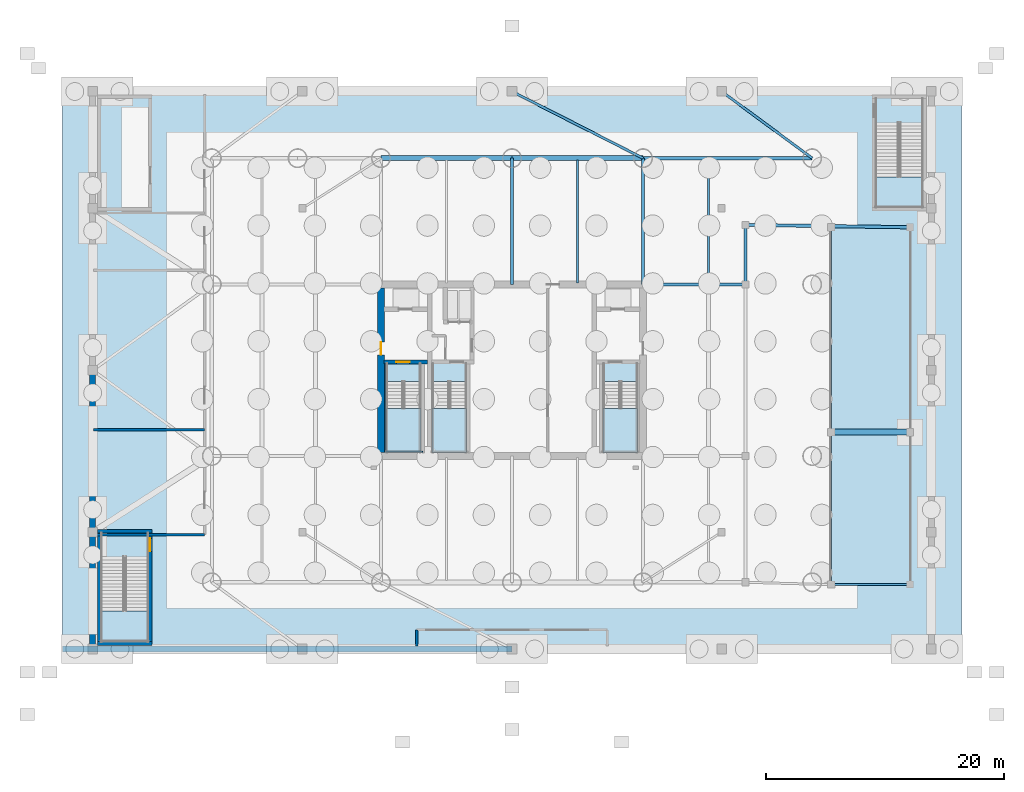
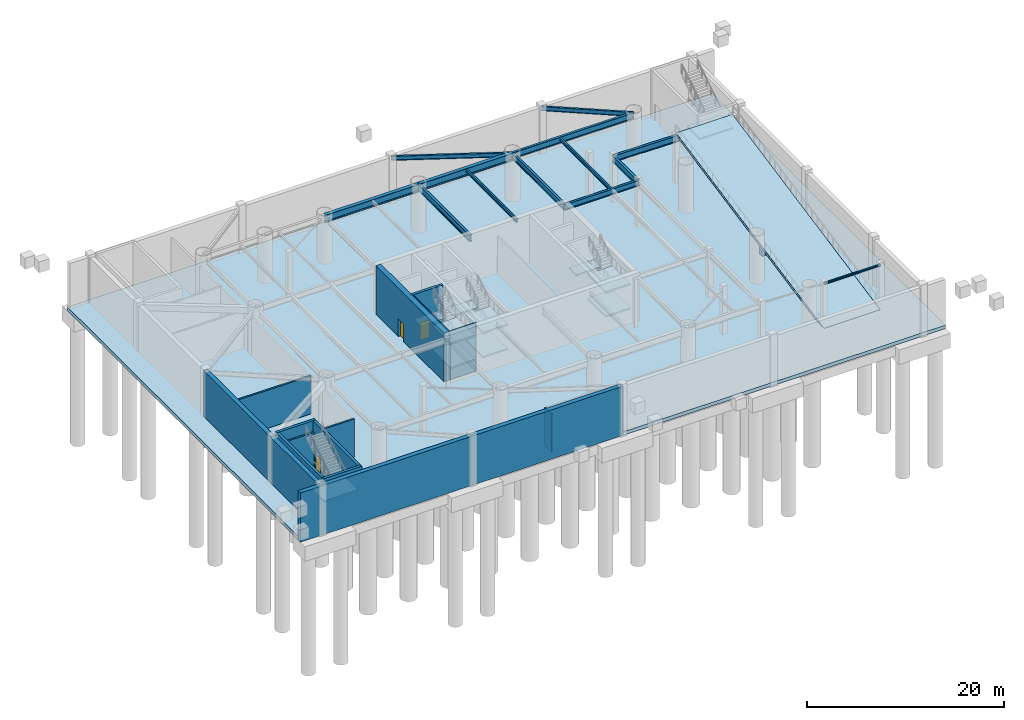
# One storey, part 3 of 12: 14 beams, 13 slabs, 13 walls, 3 doors, 3 openings, 5 elements without a shape of their own.
"""IFC4 building model written with IfcOpenShell, lengths in metres."""

from ifc_helpers import new_model, si_unit, direction, frame, frame_2d, origin, origin_2d, place, context, subcontext, project, spatial, polyline, rectangle, i_section, outline, extrude, material, layer, layer_set, material_profile, profile_set, type_object, element, fill, aggregate, save


model = new_model("IFC4")

# Units and contexts
model_context = context("Model", 3, precision=1e-05, world=origin(), true_north=direction((0.0, 1.0)))
body_context = subcontext(model_context, "Body", "Model", "MODEL_VIEW")
ifc_project = project(units=[si_unit("LENGTHUNIT", "METRE"), si_unit("AREAUNIT", "SQUARE_METRE"), si_unit("VOLUMEUNIT", "CUBIC_METRE"), si_unit("PLANEANGLEUNIT", "RADIAN"), si_unit("MASSUNIT", "GRAM", prefix="KILO")], contexts=[model_context])

# Site, building, storey
site_placement = place(None, origin())
site = spatial("IfcSite", under=ifc_project, at=site_placement, CompositionType="ELEMENT")
building_placement = place(site_placement, origin())
building = spatial("IfcBuilding", under=site, at=building_placement, Name="Bramvorn Convention Spire", CompositionType="ELEMENT")
storey_placement = place(building_placement, frame((0.0, 0.0, -6.0)))
storey = spatial("IfcBuildingStorey", under=building, at=storey_placement, Name="B1", CompositionType="ELEMENT", Elevation=-6.0)

# Beams
ifc_material_1 = material(Name="Concrete C50/60", Category="concrete")
ifc_material_profile_1 = material_profile(ifc_material_1, rectangle(XDim=0.5, YDim=0.89990234375, at=origin_2d()))
ifc_profile_set_1 = profile_set([ifc_material_profile_1], Name="Concrete C50/60 - RC500X900")
beam_type_1 = type_object("IfcBeamType", Name="BM-RC500X900", PredefinedType="BEAM", material=ifc_profile_set_1)
beam_1_placement = place(storey_placement, frame((64.800048828125, 20.800048828125, 1.760009765625), z_axis=(1.0, 0.0, 0.0), x_axis=(0.0, 1.0, 0.0)))
element("IfcBeam", 1, at=beam_1_placement, inside=storey, type_object=beam_type_1, Name="B1 vehicle ramp midspan support girder", PredefinedType="BEAM", context=body_context, shape_type="SweptSolid", body=[
    extrude(rectangle(XDim=0.5, YDim=0.89990234375, at=origin_2d()), origin(), (0.0, 0.0, 1.0), 6.599853515625),
])
ifc_material_2 = material(Name="Steel CSA G40.21 Grade 350 (350W)", Category="steel")
ifc_material_profile_2 = material_profile(ifc_material_2, i_section(OverallWidth=0.1650390625, OverallDepth=0.200927734375, WebThickness=0.006103515625, FlangeThickness=0.01025390625, FilletRadius=0.010009765625, at=origin_2d()))
ifc_profile_set_2 = profile_set([ifc_material_profile_2], Name="Steel CSA G40.21 Grade 350 (350W) - W200X36")
beam_type_2 = type_object("IfcBeamType", Name="BM-W200X36", PredefinedType="LINTEL", material=ifc_profile_set_2)
beam_2_placement = place(storey_placement, frame((64.800048828125, 8.0, 5.549560546875), z_axis=(1.0, 0.0, 0.0), x_axis=(0.0, 1.0, 0.0)))
element("IfcBeam", 2, at=beam_2_placement, inside=storey, type_object=beam_type_2, Name="B1 equipment bay header lintel 1", PredefinedType="LINTEL", context=body_context, shape_type="SweptSolid", body=[
    extrude(i_section(OverallWidth=0.1650390625, OverallDepth=0.200927734375, WebThickness=0.006103515625, FlangeThickness=0.01025390625, FilletRadius=0.010009765625, at=origin_2d()), origin(), (0.0, 0.0, 1.0), 6.599853515625),
])
ifc_material_profile_3 = material_profile(ifc_material_2, i_section(OverallWidth=0.180908203125, OverallDepth=0.4169921875, WebThickness=0.010986328125, FlangeThickness=0.018310546875, FilletRadius=0.01611328125, at=origin_2d()))
ifc_profile_set_3 = profile_set([ifc_material_profile_3], Name="Steel CSA G40.21 Grade 350 (350W) - W410X85")
beam_type_3 = type_object("IfcBeamType", Name="BM-W410X85", PredefinedType="JOIST", material=ifc_profile_set_3)
for number, where, z_axis, x_axis, name in (
    (3, (43.5, 33.340087890625, 5.44140625), (0.0, 1.0, 0.0), (-1.0, 0.0, 0.0), "B1 north hall composite joist 4"),
    (4, (54.5, 33.340087890625, 5.44140625), (0.0, 1.0, 0.0), (-1.0, 0.0, 0.0), "B1 side hall joist N-5"),
):
    element("IfcBeam", number, at=place(storey_placement, frame(where, z_axis=z_axis, x_axis=x_axis)), inside=storey, type_object=beam_type_3, Name=name, PredefinedType="JOIST", context=body_context, shape_type="SweptSolid", body=[
        extrude(i_section(OverallWidth=0.180908203125, OverallDepth=0.4169921875, WebThickness=0.010986328125, FlangeThickness=0.018310546875, FilletRadius=0.01611328125, at=origin_2d()), origin(), (0.0, 0.0, 1.0), 10.31982421875),
    ])
ifc_material_profile_4 = material_profile(ifc_material_2, i_section(OverallWidth=0.2119140625, OverallDepth=0.5439453125, WebThickness=0.01318359375, FlangeThickness=0.021240234375, FilletRadius=0.01904296875, at=origin_2d()))
ifc_profile_set_4 = profile_set([ifc_material_profile_4], Name="Steel CSA G40.21 Grade 350 (350W) - W530X123")
beam_type_4 = type_object("IfcBeamType", Name="BM-W530X123", PredefinedType="BEAM", material=ifc_profile_set_4)
beam_3_placement = place(storey_placement, frame((38.0, 49.39990234375, 5.3779296875), z_axis=(0.891167913636, -0.453673615835, 0.0), x_axis=(0.453673615835, 0.891167913636, 0.0)))
element("IfcBeam", 5, at=beam_3_placement, inside=storey, type_object=beam_type_4, Name="B1 podium primary girder 32", PredefinedType="BEAM", context=body_context, shape_type="SweptSolid", body=[
    extrude(i_section(OverallWidth=0.2119140625, OverallDepth=0.5439453125, WebThickness=0.01318359375, FlangeThickness=0.021240234375, FilletRadius=0.01904296875, at=origin_2d()), origin(), (0.0, 0.0, 1.0), 12.34326171875),
])
beam_4_placement = place(storey_placement, frame((55.60009765625, 49.39990234375, 5.3779296875), z_axis=(0.805057787445, -0.593196391488, 0.0), x_axis=(0.593196391488, 0.805057787445, 0.0)))
element("IfcBeam", 6, at=beam_4_placement, inside=storey, type_object=beam_type_4, Name="B1 podium primary girder 33", PredefinedType="BEAM", context=body_context, shape_type="SweptSolid", body=[
    extrude(i_section(OverallWidth=0.2119140625, OverallDepth=0.5439453125, WebThickness=0.01318359375, FlangeThickness=0.021240234375, FilletRadius=0.01904296875, at=origin_2d()), origin(), (0.0, 0.0, 1.0), 9.440185546875),
])
ifc_material_profile_5 = material_profile(ifc_material_2, i_section(OverallWidth=0.256103515625, OverallDepth=0.693115234375, WebThickness=0.014404296875, FlangeThickness=0.023681640625, FilletRadius=0.02197265625, at=origin_2d()))
ifc_profile_set_5 = profile_set([ifc_material_profile_5], Name="Steel CSA G40.21 Grade 350 (350W) - W690X170")
beam_type_5 = type_object("IfcBeamType", Name="BM-W690X170", PredefinedType="BEAM", material=ifc_profile_set_5)
beam_5_placement = place(storey_placement, frame((49.0, 33.199951171875, 5.303466796875), z_axis=(0.0, 1.0, 0.0), x_axis=(-1.0, 0.0, 0.0)))
element("IfcBeam", 7, at=beam_5_placement, inside=storey, type_object=beam_type_5, Name="B1 podium primary girder 25", PredefinedType="BEAM", context=body_context, shape_type="SweptSolid", body=[
    extrude(i_section(OverallWidth=0.256103515625, OverallDepth=0.693115234375, WebThickness=0.014404296875, FlangeThickness=0.023681640625, FilletRadius=0.02197265625, at=origin_2d()), origin(), (0.0, 0.0, 1.0), 10.60009765625),
])
beam_6_placement = place(storey_placement, frame((49.0, 33.199951171875, 5.303466796875), z_axis=(1.0, 0.0, 0.0), x_axis=(0.0, 1.0, 0.0)))
element("IfcBeam", 8, at=beam_6_placement, inside=storey, type_object=beam_type_5, Name="B1 ramp tie girder N", PredefinedType="BEAM", context=body_context, shape_type="SweptSolid", body=[
    extrude(i_section(OverallWidth=0.256103515625, OverallDepth=0.693115234375, WebThickness=0.014404296875, FlangeThickness=0.023681640625, FilletRadius=0.02197265625, at=origin_2d()), origin(), (0.0, 0.0, 1.0), 8.60009765625),
])
ifc_material_profile_6 = material_profile(ifc_material_2, i_section(OverallWidth=0.27099609375, OverallDepth=0.76806640625, WebThickness=0.0166015625, FlangeThickness=0.02685546875, FilletRadius=0.02197265625, at=origin_2d()))
ifc_profile_set_6 = profile_set([ifc_material_profile_6], Name="Steel CSA G40.21 Grade 350 (350W) - W760X220")
beam_type_6 = type_object("IfcBeamType", Name="BM-W760X220", PredefinedType="BEAM", material=ifc_profile_set_6)
beam_7_placement = place(storey_placement, frame((38.0, 33.199951171875, 5.26611328125), z_axis=(0.0, 1.0, 0.0), x_axis=(-1.0, 0.0, 0.0)))
element("IfcBeam", 9, at=beam_7_placement, inside=storey, type_object=beam_type_6, Name="B1 podium primary girder 10", PredefinedType="BEAM", context=body_context, shape_type="SweptSolid", body=[
    extrude(i_section(OverallWidth=0.27099609375, OverallDepth=0.76806640625, WebThickness=0.0166015625, FlangeThickness=0.02685546875, FilletRadius=0.02197265625, at=origin_2d()), origin(), (0.0, 0.0, 1.0), 10.60009765625),
])
beam_8_placement = place(storey_placement, frame((49.0, 43.800048828125, 5.26611328125), z_axis=(1.0, 0.0, 0.0), x_axis=(0.0, 1.0, 0.0)))
element("IfcBeam", 10, at=beam_8_placement, inside=storey, type_object=beam_type_6, Name="B1 podium primary girder 11", PredefinedType="BEAM", context=body_context, shape_type="SweptSolid", body=[
    extrude(i_section(OverallWidth=0.27099609375, OverallDepth=0.76806640625, WebThickness=0.0166015625, FlangeThickness=0.02685546875, FilletRadius=0.02197265625, at=origin_2d()), origin(), (0.0, 0.0, 1.0), 14.199951171875),
])
beam_9_placement = place(storey_placement, frame((57.60009765625, 33.199951171875, 5.26611328125), z_axis=(0.0, 1.0, 0.0), x_axis=(-1.0, 0.0, 0.0)))
element("IfcBeam", 11, at=beam_9_placement, inside=storey, type_object=beam_type_6, Name="B1 ramp west trimmer 3", PredefinedType="BEAM", context=body_context, shape_type="SweptSolid", body=[
    extrude(i_section(OverallWidth=0.27099609375, OverallDepth=0.76806640625, WebThickness=0.0166015625, FlangeThickness=0.02685546875, FilletRadius=0.02197265625, at=origin_2d()), origin(), (0.0, 0.0, 1.0), 5.0),
])
beam_10_placement = place(storey_placement, frame((57.60009765625, 38.199951171875, 5.26611328125), z_axis=(0.999895044874, -0.014487899684, 0.0), x_axis=(0.014487899684, 0.999895044874, 0.0)))
element("IfcBeam", 12, at=beam_10_placement, inside=storey, type_object=beam_type_6, Name="B1 ramp top arrival girder", PredefinedType="BEAM", context=body_context, shape_type="SweptSolid", body=[
    extrude(i_section(OverallWidth=0.27099609375, OverallDepth=0.76806640625, WebThickness=0.0166015625, FlangeThickness=0.02685546875, FilletRadius=0.02197265625, at=origin_2d()), origin(), (0.0, 0.0, 1.0), 13.80126953125),
])
ifc_material_profile_7 = material_profile(ifc_material_2, i_section(OverallWidth=0.41796875, OverallDepth=0.912109375, WebThickness=0.019287109375, FlangeThickness=0.031982421875, FilletRadius=0.02392578125, at=origin_2d()))
ifc_profile_set_7 = profile_set([ifc_material_profile_7], Name="Steel CSA G40.21 Grade 350 (350W) - W920X342")
beam_type_7 = type_object("IfcBeamType", Name="BM-W920X342", PredefinedType="BEAM", material=ifc_profile_set_7)
for number, where, z_axis, x_axis, name in (
    (13, (27.0, 43.800048828125, 5.194091796875), (1.0, 0.0, 0.0), (0.0, 1.0, 0.0), "B1 podium primary girder 07"),
    (14, (38.0, 43.800048828125, 5.194091796875), (1.0, 0.0, 0.0), (0.0, 1.0, 0.0), "B1 podium primary girder 08"),
):
    element("IfcBeam", number, at=place(storey_placement, frame(where, z_axis=z_axis, x_axis=x_axis)), inside=storey, type_object=beam_type_7, Name=name, PredefinedType="BEAM", context=body_context, shape_type="SweptSolid", body=[
        extrude(i_section(OverallWidth=0.41796875, OverallDepth=0.912109375, WebThickness=0.019287109375, FlangeThickness=0.031982421875, FilletRadius=0.02392578125, at=origin_2d()), origin(), (0.0, 0.0, 1.0), 11.0),
    ])

# Slabs
ifc_material_3 = material(Name="Concrete C60/70", Category="concrete")
ifc_layer_1 = layer(ifc_material_3, 0.449951171875)
ifc_layer_set_1 = layer_set([ifc_layer_1], Name="Concrete C60/70 - SLB-BASE-450")
slab_type_1 = type_object("IfcSlabType", Name="SLB-BASE-450", PredefinedType="BASESLAB", material=ifc_layer_set_1)
slab_1_placement = place(storey_placement, frame((0.0, 0.0, -0.449951171875)))
element("IfcSlab", 15, at=slab_1_placement, inside=storey, type_object=slab_type_1, Name="B1 reinforced concrete base slab", PredefinedType="BASESLAB", context=body_context, shape_type="SweptSolid", body=[
    extrude(outline(polyline([(0.25, 2.35009765625), (75.75, 2.35009765625), (75.75, 49.64990234375), (0.25, 49.64990234375), (0.25, 2.35009765625)])), origin(), (0.0, 0.0, 1.0), 0.449951171875),
])
ifc_material_4 = material(Name="Concrete C40/50", Category="concrete")
ifc_layer_2 = layer(ifc_material_4, 0.300048828125)
ifc_layer_set_2 = layer_set([ifc_layer_2], Name="Concrete C40/50 - SLB-RAMP-300")
slab_type_2 = type_object("IfcSlabType", Name="SLB-RAMP-300", PredefinedType="FLOOR", material=ifc_layer_set_2)
slab_2_placement = place(storey_placement, frame((64.800048828125, 8.0, 0.0), z_axis=(0.0, -0.196116135138, 0.980580675691), x_axis=(1.0, 0.0, 0.0)))
element("IfcSlab", 16, at=slab_2_placement, inside=storey, type_object=slab_type_2, Name="B1-to-L00 structural sloped reinforced concrete vehicle ramp slab", PredefinedType="FLOOR", context=body_context, shape_type="SweptSolid", body=[
    extrude(outline(polyline([(0.0, 0.0), (6.599853515625, 0.0), (6.599853515625, 30.59411708155671), (0.0, 30.59411708155671), (0.0, 0.0)])), origin(), (0.0, 0.0, -1.0), 0.300048828125),
])

# Stair, slabs
ifc_material_5 = material(Name="Concrete C40/50 Precast Stair", Category="concrete")
stair_type_1 = type_object("IfcStairType", Name="ST-TOWER-1550", PredefinedType="HALF_TURN_STAIR", material=ifc_material_5)
stair_1_placement = place(storey_placement, origin())
stair_1 = element("IfcStair", 17, at=stair_1_placement, inside=storey, type_object=stair_type_1, Name="B1 Protected Exit Stair ST1", PredefinedType="HALF_TURN_STAIR")
ifc_material_6 = material(Name="Concrete C40/50 Stair Landing", Category="concrete")
ifc_layer_3 = layer(ifc_material_6, 0.219970703125)
ifc_layer_set_3 = layer_set([ifc_layer_3], Name="Concrete C40/50 Stair Landing - SLB-STAIR-LANDING")
slab_type_3 = type_object("IfcSlabType", Name="SLB-STAIR-LANDING", PredefinedType="LANDING", material=ifc_layer_set_3)
slab_3_placement = place(storey_placement, frame((0.0, 0.0, 1.300048828125)))
slab_3 = element("IfcSlab", 18, at=slab_3_placement, type_object=slab_type_3, Name="ST1 landing 1", PredefinedType="LANDING", context=body_context, shape_type="SweptSolid", body=[
    extrude(outline(polyline([(27.449951171875, 22.77001953125), (27.449951171875, 19.10009765625), (30.35009765625, 19.10009765625), (30.35009765625, 22.77001953125), (27.449951171875, 22.77001953125)])), origin(), (0.0, 0.0, 1.0), 0.199951171875),
])
slab_4_placement = place(storey_placement, frame((0.0, 0.0, 2.800048828125)))
slab_4 = element("IfcSlab", 19, at=slab_4_placement, type_object=slab_type_3, Name="ST1 landing 2", PredefinedType="LANDING", context=body_context, shape_type="SweptSolid", body=[
    extrude(outline(polyline([(27.449951171875, 26.550048828125), (27.449951171875, 25.050048828125), (30.35009765625, 25.050048828125), (30.35009765625, 26.550048828125), (27.449951171875, 26.550048828125)])), origin(), (0.0, 0.0, 1.0), 0.199951171875),
])
slab_5_placement = place(storey_placement, frame((0.0, 0.0, 4.300048828125)))
slab_5 = element("IfcSlab", 20, at=slab_5_placement, type_object=slab_type_3, Name="ST1 landing 3", PredefinedType="LANDING", context=body_context, shape_type="SweptSolid", body=[
    extrude(outline(polyline([(27.449951171875, 22.77001953125), (27.449951171875, 19.10009765625), (30.35009765625, 19.10009765625), (30.35009765625, 22.77001953125), (27.449951171875, 22.77001953125)])), origin(), (0.0, 0.0, 1.0), 0.199951171875),
])
aggregate(stair_1, [slab_3, slab_4, slab_5])

stair_2_placement = place(storey_placement, origin())
stair_2 = element("IfcStair", 21, at=stair_2_placement, inside=storey, type_object=stair_type_1, Name="B1 Protected Exit Stair ST2", PredefinedType="HALF_TURN_STAIR")
slab_6_placement = place(storey_placement, frame((0.0, 0.0, 1.300048828125)))
slab_6 = element("IfcSlab", 22, at=slab_6_placement, type_object=slab_type_3, Name="ST2 landing 1", PredefinedType="LANDING", context=body_context, shape_type="SweptSolid", body=[
    extrude(outline(polyline([(45.64990234375, 22.77001953125), (45.64990234375, 19.10009765625), (48.550048828125, 19.10009765625), (48.550048828125, 22.77001953125), (45.64990234375, 22.77001953125)])), origin(), (0.0, 0.0, 1.0), 0.199951171875),
])
slab_7_placement = place(storey_placement, frame((0.0, 0.0, 2.800048828125)))
slab_7 = element("IfcSlab", 23, at=slab_7_placement, type_object=slab_type_3, Name="ST2 landing 2", PredefinedType="LANDING", context=body_context, shape_type="SweptSolid", body=[
    extrude(outline(polyline([(45.64990234375, 26.550048828125), (45.64990234375, 25.050048828125), (48.550048828125, 25.050048828125), (48.550048828125, 26.550048828125), (45.64990234375, 26.550048828125)])), origin(), (0.0, 0.0, 1.0), 0.199951171875),
])
slab_8_placement = place(storey_placement, frame((0.0, 0.0, 4.300048828125)))
slab_8 = element("IfcSlab", 24, at=slab_8_placement, type_object=slab_type_3, Name="ST2 landing 3", PredefinedType="LANDING", context=body_context, shape_type="SweptSolid", body=[
    extrude(outline(polyline([(45.64990234375, 22.77001953125), (45.64990234375, 19.10009765625), (48.550048828125, 19.10009765625), (48.550048828125, 22.77001953125), (45.64990234375, 22.77001953125)])), origin(), (0.0, 0.0, 1.0), 0.199951171875),
])
aggregate(stair_2, [slab_6, slab_7, slab_8])

stair_3_placement = place(storey_placement, origin())
stair_3 = element("IfcStair", 25, at=stair_3_placement, inside=storey, type_object=stair_type_1, Name="B1 Protected Exit Stair ST3", PredefinedType="HALF_TURN_STAIR")
slab_9_placement = place(storey_placement, frame((0.0, 0.0, 1.300048828125)))
slab_9 = element("IfcSlab", 26, at=slab_9_placement, type_object=slab_type_3, Name="ST3 landing 1", PredefinedType="LANDING", context=body_context, shape_type="SweptSolid", body=[
    extrude(outline(polyline([(31.300048828125, 22.77001953125), (31.300048828125, 19.10009765625), (34.199951171875, 19.10009765625), (34.199951171875, 22.77001953125), (31.300048828125, 22.77001953125)])), origin(), (0.0, 0.0, 1.0), 0.199951171875),
])
slab_10_placement = place(storey_placement, frame((0.0, 0.0, 2.800048828125)))
slab_10 = element("IfcSlab", 27, at=slab_10_placement, type_object=slab_type_3, Name="ST3 landing 2", PredefinedType="LANDING", context=body_context, shape_type="SweptSolid", body=[
    extrude(outline(polyline([(31.300048828125, 26.550048828125), (31.300048828125, 25.050048828125), (34.199951171875, 25.050048828125), (34.199951171875, 26.550048828125), (31.300048828125, 26.550048828125)])), origin(), (0.0, 0.0, 1.0), 0.199951171875),
])
slab_11_placement = place(storey_placement, frame((0.0, 0.0, 4.300048828125)))
slab_11 = element("IfcSlab", 28, at=slab_11_placement, type_object=slab_type_3, Name="ST3 landing 3", PredefinedType="LANDING", context=body_context, shape_type="SweptSolid", body=[
    extrude(outline(polyline([(31.300048828125, 22.77001953125), (31.300048828125, 19.10009765625), (34.199951171875, 19.10009765625), (34.199951171875, 22.77001953125), (31.300048828125, 22.77001953125)])), origin(), (0.0, 0.0, 1.0), 0.199951171875),
])
aggregate(stair_3, [slab_9, slab_10, slab_11])

# Stair, slab
ifc_material_7 = material(Name="Concrete C40/50 Grand Exit Stair", Category="concrete")
stair_type_2 = type_object("IfcStairType", Name="ST-PODIUM-1950", PredefinedType="HALF_TURN_STAIR", material=ifc_material_7)
stair_4_placement = place(storey_placement, origin())
stair_4 = element("IfcStair", 29, at=stair_4_placement, inside=storey, type_object=stair_type_2, Name="B1 Protected Exit Stair ST4", PredefinedType="HALF_TURN_STAIR")
slab_12_placement = place(storey_placement, frame((0.0, 0.0, 2.800048828125)))
slab_12 = element("IfcSlab", 30, at=slab_12_placement, type_object=slab_type_3, Name="ST4 landing 1", PredefinedType="LANDING", context=body_context, shape_type="SweptSolid", body=[
    extrude(outline(polyline([(3.5, 5.7900390625), (3.5, 3.199951171875), (7.47998046875, 3.199951171875), (7.47998046875, 5.7900390625), (3.5, 5.7900390625)])), origin(), (0.0, 0.0, 1.0), 0.199951171875),
])
aggregate(stair_4, [slab_12])

stair_5_placement = place(storey_placement, origin())
stair_5 = element("IfcStair", 31, at=stair_5_placement, inside=storey, type_object=stair_type_2, Name="B1 Protected Exit Stair ST5", PredefinedType="HALF_TURN_STAIR")
slab_13_placement = place(storey_placement, frame((0.0, 0.0, 2.800048828125)))
slab_13 = element("IfcSlab", 32, at=slab_13_placement, type_object=slab_type_3, Name="ST5 landing 1", PredefinedType="LANDING", context=body_context, shape_type="SweptSolid", body=[
    extrude(outline(polyline([(68.52001953125, 42.239990234375), (68.52001953125, 39.64990234375), (72.5, 39.64990234375), (72.5, 42.239990234375), (68.52001953125, 42.239990234375)])), origin(), (0.0, 0.0, 1.0), 0.199951171875),
])
aggregate(stair_5, [slab_13])

# Walls
ifc_layer_4 = layer(ifc_material_3, 0.5)
ifc_layer_set_4 = layer_set([ifc_layer_4], Name="Concrete C60/70 - WL-BSMT-RET-500")
wall_type_1 = type_object("IfcWallType", Name="WL-BSMT-RET-500", PredefinedType="USERDEFINED", material=ifc_layer_set_4)
wall_1_placement = place(storey_placement, frame((0.25, 2.60009765625, -0.449951171875), z_axis=(0.0, 0.0, 1.0), x_axis=(1.0, 0.0, 0.0)))
element("IfcWall", 33, at=wall_1_placement, inside=storey, type_object=wall_type_1, Name="B1 basement retaining wall S1", ObjectType="RETAINING WALL", PredefinedType="USERDEFINED", context=body_context, shape_type="SweptSolid", body=[
    extrude(rectangle(XDim=37.75, YDim=0.5, at=frame_2d((18.875, 0.0))), origin(), (0.0, 0.0, 1.0), 6.099853515625),
])
wall_2_placement = place(storey_placement, frame((2.800048828125, 2.85009765625, -0.449951171875), z_axis=(0.0, 0.0, 1.0), x_axis=(0.0, 1.0, 0.0)))
element("IfcWall", 34, at=wall_2_placement, inside=storey, type_object=wall_type_1, Name="B1 basement retaining wall W1", ObjectType="RETAINING WALL", PredefinedType="USERDEFINED", context=body_context, shape_type="SweptSolid", body=[
    extrude(rectangle(XDim=23.14990234375, YDim=0.5, at=frame_2d((11.574951171875, 0.0))), origin(), (0.0, 0.0, 1.0), 6.099853515625),
])

# Wall, opening, door
ifc_layer_5 = layer(ifc_material_3, 0.60009765625)
ifc_layer_set_5 = layer_set([ifc_layer_5], Name="Concrete C60/70 - WL-CORE-600")
wall_type_2 = type_object("IfcWallType", Name="WL-CORE-600", PredefinedType="SHEAR", material=ifc_layer_set_5)
wall_3_placement = place(storey_placement, frame((27.0, 19.10009765625, 0.0), z_axis=(0.0, 0.0, 1.0), x_axis=(0.0, 1.0, 0.0)))
wall_3 = element("IfcWall", 35, at=wall_3_placement, inside=storey, type_object=wall_type_2, Name="B1 West RC core shear wall", PredefinedType="SHEAR", context=body_context, shape_type="SweptSolid", body=[
    extrude(rectangle(XDim=13.7998046875, YDim=0.60009765625, at=frame_2d((6.89990234375, 0.0))), origin(), (0.0, 0.0, 1.0), 6.0),
])
opening_1_placement = place(wall_3_placement, frame((8.199951171875, 0.0, 0.0)))
opening_1 = element("IfcOpeningElement", 36, at=opening_1_placement, cuts=wall_3, Name="Opening DL-105", PredefinedType="OPENING", context=body_context, shape_type="SweptSolid", body=[
    extrude(rectangle(XDim=1.050048828125, YDim=2.14990234375, at=frame_2d((0.52490234375, 1.074951171875))), frame((0.0, 0.31005859375, 0.0), z_axis=(0.0, -1.0, 0.0), x_axis=(1.0, 0.0, 0.0)), (0.0, 0.0, 1.0), 0.6201171875),
])
ifc_material_8 = material(Name="Smoke-Sealed Fire Lobby Timber-Core Door", Category="wood")
door_type_1 = type_object("IfcDoorType", Name="DR-LOBBY-1050", OperationType="NOTDEFINED", PredefinedType="DOOR", material=ifc_material_8)
door_1_placement = place(opening_1_placement, origin())
door_1 = element("IfcDoor", 37, at=door_1_placement, inside=storey, type_object=door_type_1, Name="B1 West Firefighting Lobby corridor door", OperationType="SINGLE_SWING_RIGHT", OverallHeight=2.14990234375, OverallWidth=1.050048828125, PredefinedType="DOOR", context=body_context, shape_type="SweptSolid", body=[
    extrude(rectangle(XDim=1.050048828125, YDim=2.14990234375, at=frame_2d((0.52490234375, 1.074951171875))), frame((0.0, 0.02490234375, 0.0), z_axis=(0.0, -1.0, 0.0), x_axis=(1.0, 0.0, 0.0)), (0.0, 0.0, 1.0), 0.050048828125),
])
fill(opening_1, door_1)

# Walls
ifc_material_9 = material(Name="Gypsum Shaftwall & Rockwool Core Partition", Category="gypsum")
ifc_layer_6 = layer(ifc_material_9, 0.199951171875)
ifc_layer_set_6 = layer_set([ifc_layer_6], Name="Gypsum Shaftwall & Rockwool Core Partition - WL-PART-200-FR")
wall_type_3 = type_object("IfcWallType", Name="WL-PART-200-FR", PredefinedType="PARTITIONING", material=ifc_layer_set_6)
for number, where, z_axis, x_axis, name in (
    (38, (2.85009765625, 12.199951171875, 0.0), (0.0, 0.0, 1.0), (1.0, 0.0, 0.0), "B1 Central Chiller & Deep-Lake Heat-Exchanger Plant divider"),
    (39, (2.85009765625, 21.0, 0.0), (0.0, 0.0, 1.0), (1.0, 0.0, 0.0), "B1 Domestic Water Booster, Fire Pump & Sprinkler Tank Room divider"),
):
    element("IfcWall", number, at=place(storey_placement, frame(where, z_axis=z_axis, x_axis=x_axis)), inside=storey, type_object=wall_type_3, Name=name, PredefinedType="PARTITIONING", context=body_context, shape_type="SweptSolid", body=[
        extrude(rectangle(XDim=9.349853515625, YDim=0.199951171875, at=frame_2d((4.6748046875, 0.0))), origin(), (0.0, 0.0, 1.0), 4.7099609375),
    ])
wall_4_placement = place(storey_placement, frame((30.0, 2.85009765625, 0.0), z_axis=(0.0, 0.0, 1.0), x_axis=(0.0, 1.0, 0.0)))
element("IfcWall", 40, at=wall_4_placement, inside=storey, type_object=wall_type_3, Name="B1 Service bay west return", PredefinedType="PARTITIONING", context=body_context, shape_type="SweptSolid", body=[
    extrude(rectangle(XDim=1.349853515625, YDim=0.199951171875, at=frame_2d((0.6748046875, 0.0))), origin(), (0.0, 0.0, 1.0), 4.7099609375),
])

# Wall, opening, door
ifc_layer_7 = layer(ifc_material_1, 0.300048828125)
ifc_layer_set_7 = layer_set([ifc_layer_7], Name="Concrete C50/60 - WL-POD-STAIR-300")
wall_type_4 = type_object("IfcWallType", Name="WL-POD-STAIR-300", PredefinedType="SHEAR", material=ifc_layer_set_7)
wall_5_placement = place(storey_placement, frame((27.25, 26.68994140625, -0.449951171875), z_axis=(0.0, 0.0, 1.0), x_axis=(1.0, 0.0, 0.0)))
wall_5 = element("IfcWall", 41, at=wall_5_placement, inside=storey, type_object=wall_type_4, Name="B1 ST1 north fire wall", PredefinedType="SHEAR", context=body_context, shape_type="SweptSolid", body=[
    extrude(rectangle(XDim=3.669921875, YDim=0.300048828125, at=frame_2d((1.8349609375, 0.0))), origin(), (0.0, 0.0, 1.0), 6.449951171875),
])
opening_2_placement = place(wall_5_placement, frame((1.050048828125, 0.0, 0.449951171875)))
opening_2 = element("IfcOpeningElement", 42, at=opening_2_placement, cuts=wall_5, Name="Opening DS-110", PredefinedType="OPENING", context=body_context, shape_type="SweptSolid", body=[
    extrude(rectangle(XDim=1.10009765625, YDim=2.14990234375, at=frame_2d((0.550048828125, 1.074951171875))), frame((0.0, 0.159912109375, 0.0), z_axis=(0.0, -1.0, 0.0), x_axis=(1.0, 0.0, 0.0)), (0.0, 0.0, 1.0), 0.320068359375),
])
ifc_material_10 = material(Name="Fire-Rated Hollow Steel Stairwell Door", Category="steel")
door_type_2 = type_object("IfcDoorType", Name="DR-STAIR-1100", OperationType="NOTDEFINED", PredefinedType="DOOR", material=ifc_material_10)
door_2_placement = place(opening_2_placement, origin())
door_2 = element("IfcDoor", 43, at=door_2_placement, inside=storey, type_object=door_type_2, Name="B1 Stair ST1 fire door", OperationType="SINGLE_SWING_LEFT", OverallHeight=2.14990234375, OverallWidth=1.10009765625, PredefinedType="DOOR", context=body_context, shape_type="SweptSolid", body=[
    extrude(rectangle(XDim=1.10009765625, YDim=2.14990234375, at=frame_2d((0.550048828125, 1.074951171875))), frame((0.0, 0.02490234375, 0.0), z_axis=(0.0, -1.0, 0.0), x_axis=(1.0, 0.0, 0.0)), (0.0, 0.0, 1.0), 0.050048828125),
])
fill(opening_2, door_2)

# Walls
for number, where, z_axis, x_axis, name in (
    (44, (3.2099609375, 3.06005859375, -0.449951171875), (0.0, 0.0, 1.0), (1.0, 0.0, 0.0), "B1 ST4 south shaft wall"),
    (45, (3.2099609375, 12.489990234375, -0.449951171875), (0.0, 0.0, 1.0), (1.0, 0.0, 0.0), "B1 ST4 north shaft wall"),
):
    element("IfcWall", number, at=place(storey_placement, frame(where, z_axis=z_axis, x_axis=x_axis)), inside=storey, type_object=wall_type_4, Name=name, PredefinedType="SHEAR", context=body_context, shape_type="SweptSolid", body=[
        extrude(rectangle(XDim=4.56005859375, YDim=0.300048828125, at=frame_2d((2.280029296875, 0.0))), origin(), (0.0, 0.0, 1.0), 6.449951171875),
    ])
wall_6_placement = place(storey_placement, frame((3.360107421875, 3.2099609375, -0.449951171875), z_axis=(0.0, 0.0, 1.0), x_axis=(0.0, 1.0, 0.0)))
element("IfcWall", 46, at=wall_6_placement, inside=storey, type_object=wall_type_4, Name="B1 ST4 west shaft wall", PredefinedType="SHEAR", context=body_context, shape_type="SweptSolid", body=[
    extrude(rectangle(XDim=9.130126953125, YDim=0.300048828125, at=frame_2d((4.56494140625, 0.0))), origin(), (0.0, 0.0, 1.0), 6.449951171875),
])

# Wall, opening, door
wall_7_placement = place(storey_placement, frame((7.6201171875, 12.340087890625, -0.449951171875), z_axis=(0.0, 0.0, 1.0), x_axis=(0.0, -1.0, 0.0)))
wall_7 = element("IfcWall", 47, at=wall_7_placement, inside=storey, type_object=wall_type_4, Name="B1 ST4 east shaft wall", PredefinedType="SHEAR", context=body_context, shape_type="SweptSolid", body=[
    extrude(rectangle(XDim=9.130126953125, YDim=0.300048828125, at=frame_2d((4.56494140625, 0.0))), origin(), (0.0, 0.0, 1.0), 6.449951171875),
])
opening_3_placement = place(wall_7_placement, frame((0.449951171875, 0.0, 0.449951171875)))
opening_3 = element("IfcOpeningElement", 48, at=opening_3_placement, cuts=wall_7, Name="Opening DS-110", PredefinedType="OPENING", context=body_context, shape_type="SweptSolid", body=[
    extrude(rectangle(XDim=1.10009765625, YDim=2.14990234375, at=frame_2d((0.550048828125, 1.074951171875))), frame((0.0, 0.159912109375, 0.0), z_axis=(0.0, -1.0, 0.0), x_axis=(1.0, 0.0, 0.0)), (0.0, 0.0, 1.0), 0.320068359375),
])
door_3_placement = place(opening_3_placement, origin())
door_3 = element("IfcDoor", 49, at=door_3_placement, inside=storey, type_object=door_type_2, Name="B1 ST4 exit stairwell door", OperationType="SINGLE_SWING_LEFT", OverallHeight=2.14990234375, OverallWidth=1.10009765625, PredefinedType="DOOR", context=body_context, shape_type="SweptSolid", body=[
    extrude(rectangle(XDim=1.10009765625, YDim=2.14990234375, at=frame_2d((0.550048828125, 1.074951171875))), frame((0.0, 0.02490234375, 0.0), z_axis=(0.0, -1.0, 0.0), x_axis=(1.0, 0.0, 0.0)), (0.0, 0.0, 1.0), 0.050048828125),
])
fill(opening_3, door_3)

# Walls
ifc_layer_8 = layer(ifc_material_1, 0.1201171875)
ifc_layer_set_8 = layer_set([ifc_layer_8], Name="Concrete C50/60 - WL-STAIR-RC-120")
wall_type_5 = type_object("IfcWallType", Name="WL-STAIR-RC-120", PredefinedType="SHEAR", material=ifc_layer_set_8)
wall_8_placement = place(storey_placement, frame((27.39501953125, 19.10009765625, -0.449951171875), z_axis=(0.0, 0.0, 1.0), x_axis=(0.0, 1.0, 0.0)))
element("IfcWall", 50, at=wall_8_placement, inside=storey, type_object=wall_type_5, Name="B1 ST1 west bearing shear wall", PredefinedType="SHEAR", context=body_context, shape_type="SweptSolid", body=[
    extrude(rectangle(XDim=7.449951171875, YDim=0.1201171875, at=frame_2d((3.72509765625, 0.0))), origin(), (0.0, 0.0, 1.0), 6.449951171875),
])
wall_9_placement = place(storey_placement, frame((27.39501953125, 19.159912109375, -0.449951171875), z_axis=(0.0, 0.0, 1.0), x_axis=(1.0, 0.0, 0.0)))
element("IfcWall", 51, at=wall_9_placement, inside=storey, type_object=wall_type_5, Name="B1 ST1 south bearing shear wall", PredefinedType="SHEAR", context=body_context, shape_type="SweptSolid", body=[
    extrude(rectangle(XDim=3.094970703125, YDim=0.1201171875, at=frame_2d((1.54736328125, 0.0))), origin(), (0.0, 0.0, 1.0), 6.449951171875),
])

save(model, "model.ifc")
